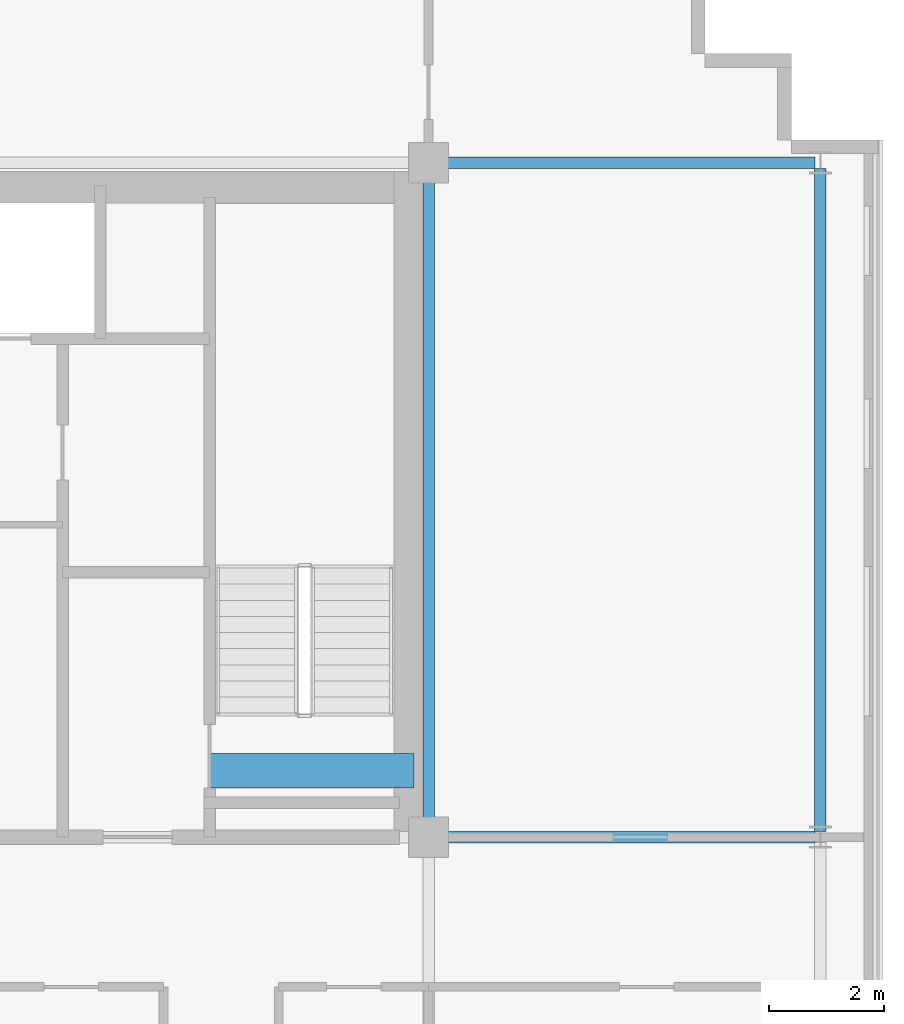
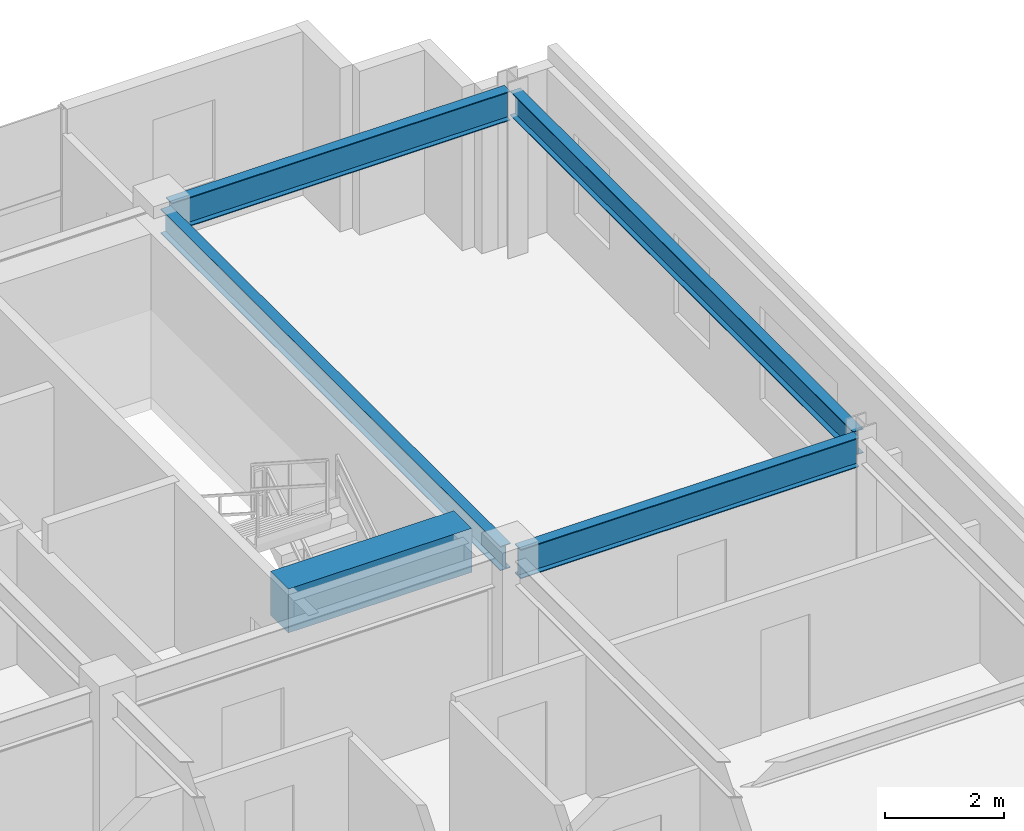
# One storey, part 11 of 20: 5 beams.
"""IFC4 building model written with IfcOpenShell, lengths in metres."""

from ifc_helpers import new_model, si_unit, direction, frame, origin, origin_2d, place, context, subcontext, project, spatial, rectangle, i_section, extrude, source, transform, mapped, material, material_profile, profile_set, type_object, element, save


model = new_model("IFC4")

# Units and contexts
model_context = context("Model", 3, precision=1e-05, world=origin(), true_north=direction((0.0, 1.0)))
body_context = subcontext(model_context, "Body", "Model", "MODEL_VIEW")
ifc_project = project(units=[si_unit("LENGTHUNIT", "METRE"), si_unit("AREAUNIT", "SQUARE_METRE"), si_unit("VOLUMEUNIT", "CUBIC_METRE"), si_unit("PLANEANGLEUNIT", "RADIAN"), si_unit("MASSUNIT", "GRAM", prefix="KILO")], contexts=[model_context])

# Site, building, storey
site_placement = place(None, origin())
site = spatial("IfcSite", under=ifc_project, at=site_placement, CompositionType="ELEMENT")
building_placement = place(site_placement, origin())
building = spatial("IfcBuilding", under=site, at=building_placement, Name="Trelvane Seafront Commons", CompositionType="ELEMENT")
storey_placement = place(building_placement, frame((0.0, 0.0, 146.5)))
storey = spatial("IfcBuildingStorey", under=building, at=storey_placement, Name="L38", CompositionType="ELEMENT", Elevation=146.5)

# Beams
ifc_material_1 = material(Name="Concrete C60/75", Category="concrete")
ifc_material_profile_1 = material_profile(ifc_material_1, rectangle(XDim=0.60009765625, YDim=0.89990234375, at=origin_2d()), Name="RC-600x900")
ifc_profile_set_1 = profile_set([ifc_material_profile_1], Name="Concrete C60/75")
beam_type_1 = type_object("IfcBeamType", Name="STR-LNT-RC600x900", PredefinedType="LINTEL", material=ifc_profile_set_1)
shared_shape_1 = source(origin(), body_context, "Body", "SweptSolid", [
    extrude(rectangle(XDim=0.60009765625, YDim=0.89990234375, at=origin_2d()), origin(), (0.0, 0.0, 1.0), 3.550048828125),
])
beam_1_placement = place(storey_placement, frame((55.0, 34.550048828125, 2.89990234375), z_axis=(1.0, 0.0, 0.0), x_axis=(0.0, 1.0, 0.0)))
element("IfcBeam", 1, at=beam_1_placement, inside=storey, type_object=beam_type_1, Name="L38 Core Coupling Lintel Beam CB-68", PredefinedType="LINTEL", context=body_context, shape_type="MappedRepresentation", body=[
    mapped(shared_shape_1, transform((0.0, 0.0, 0.0), x_axis=(1.0, 0.0, 0.0), y_axis=(0.0, 1.0, 0.0), z_axis=(0.0, 0.0, 1.0), scale=1.0)),
])
ifc_material_2 = material(Name="Steel SM355 (S355)", Category="steel")
ifc_material_profile_2 = material_profile(ifc_material_2, i_section(OverallWidth=0.199951171875, OverallDepth=0.5, WebThickness=0.010009765625, FlangeThickness=0.01611328125, at=origin_2d()), Name="H-500x200x10x16")
ifc_profile_set_2 = profile_set([ifc_material_profile_2], Name="Steel SM355 (S355)")
beam_type_2 = type_object("IfcBeamType", Name="STR-BM-H500", PredefinedType="BEAM", material=ifc_profile_set_2)
shared_shape_2 = source(origin(), body_context, "Body", "SweptSolid", [
    extrude(i_section(OverallWidth=0.199951171875, OverallDepth=0.5, WebThickness=0.010009765625, FlangeThickness=0.01611328125, at=origin_2d()), origin(), (0.0, 0.0, 1.0), 11.39990234375),
])
beam_2_placement = place(storey_placement, frame((58.800048828125, 33.550048828125, 3.10009765625), z_axis=(0.0, 1.0, 0.0), x_axis=(-1.0, 0.0, 0.0)))
element("IfcBeam", 2, at=beam_2_placement, inside=storey, type_object=beam_type_2, Name="L38 Primary Girder G-49", PredefinedType="BEAM", context=body_context, shape_type="MappedRepresentation", body=[
    mapped(shared_shape_2, transform((0.0, 0.0, 0.0), x_axis=(1.0, 0.0, 0.0), y_axis=(0.0, 1.0, 0.0), z_axis=(0.0, 0.0, 1.0), scale=1.0)),
])
ifc_material_profile_3 = material_profile(ifc_material_2, i_section(OverallWidth=0.199951171875, OverallDepth=0.60009765625, WebThickness=0.010986328125, FlangeThickness=0.01708984375, at=origin_2d()), Name="H-600x200x11x17")
ifc_profile_set_3 = profile_set([ifc_material_profile_3], Name="Steel SM355 (S355)")
beam_type_3 = type_object("IfcBeamType", Name="STR-SPD-H600", PredefinedType="SPANDREL", material=ifc_profile_set_3)
shared_shape_3 = source(origin(), body_context, "Body", "SweptSolid", [
    extrude(i_section(OverallWidth=0.199951171875, OverallDepth=0.60009765625, WebThickness=0.010986328125, FlangeThickness=0.01708984375, at=origin_2d()), origin(), (0.0, 0.0, 1.0), 6.554931640625),
])
for number, where, z_axis, x_axis, name in (
    (3, (58.949951171875, 33.39990234375, 3.050048828125), (1.0, 0.0, 0.0), (0.0, 1.0, 0.0), "L38 Primary Girder G-21"),
    (4, (58.949951171875, 45.10009765625, 3.050048828125), (1.0, 0.0, 0.0), (0.0, 1.0, 0.0), "L38 Primary Girder G-28"),
):
    element("IfcBeam", number, at=place(storey_placement, frame(where, z_axis=z_axis, x_axis=x_axis)), inside=storey, type_object=beam_type_3, Name=name, PredefinedType="SPANDREL", context=body_context, shape_type="MappedRepresentation", body=[
        mapped(shared_shape_3, transform((0.0, 0.0, 0.0), x_axis=(1.0, 0.0, 0.0), y_axis=(0.0, 1.0, 0.0), z_axis=(0.0, 0.0, 1.0), scale=1.0)),
    ])
shared_shape_4 = source(origin(), body_context, "Body", "SweptSolid", [
    extrude(i_section(OverallWidth=0.199951171875, OverallDepth=0.5, WebThickness=0.010009765625, FlangeThickness=0.01611328125, at=origin_2d()), origin(), (0.0, 0.0, 1.0), 11.509765625),
])
beam_3_placement = place(storey_placement, frame((65.60009765625, 33.4951171875, 3.10009765625), z_axis=(0.0, 1.0, 0.0), x_axis=(-1.0, 0.0, 0.0)))
element("IfcBeam", 5, at=beam_3_placement, inside=storey, type_object=beam_type_2, Name="L38 Primary Girder G-52", PredefinedType="BEAM", context=body_context, shape_type="MappedRepresentation", body=[
    mapped(shared_shape_4, transform((0.0, 0.0, 0.0), x_axis=(1.0, 0.0, 0.0), y_axis=(0.0, 1.0, 0.0), z_axis=(0.0, 0.0, 1.0), scale=1.0)),
])

save(model, "model.ifc")
